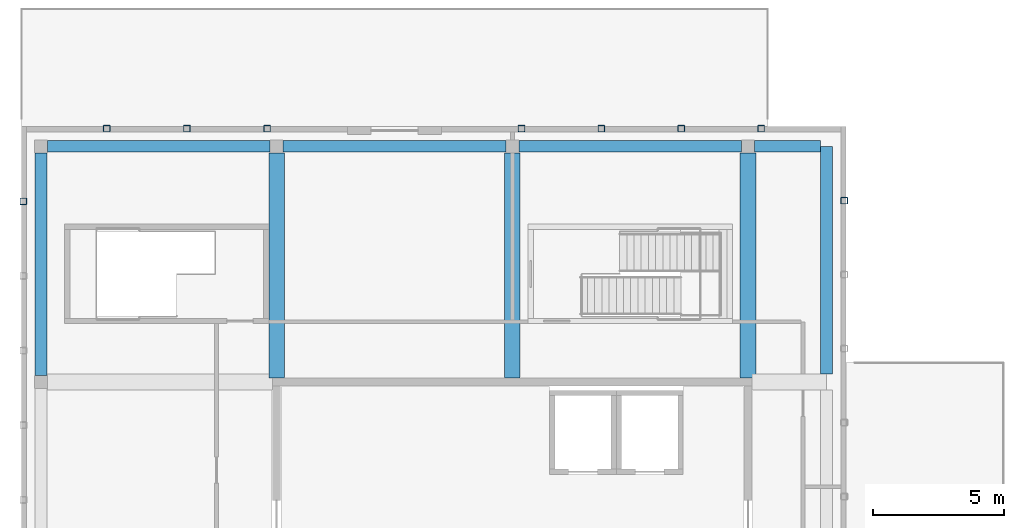
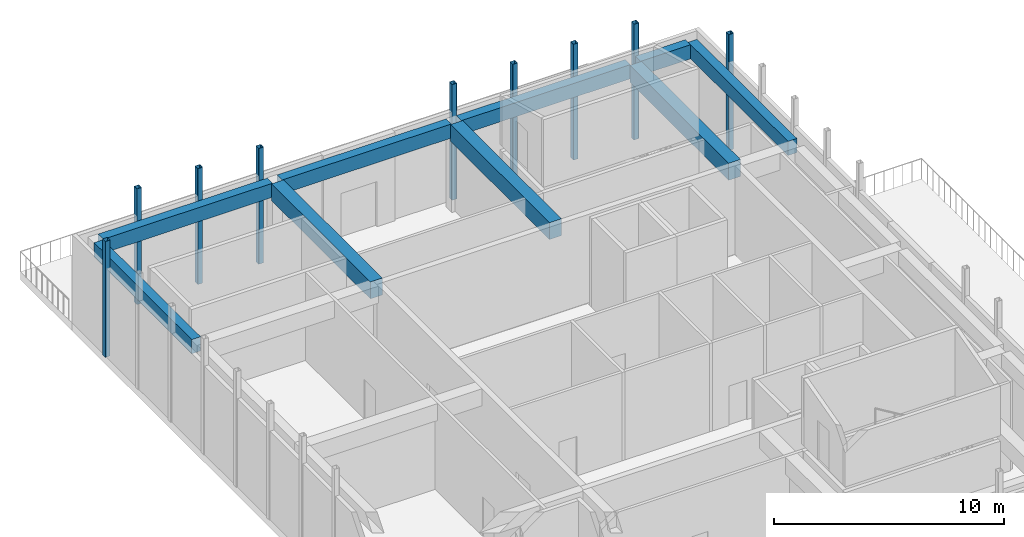
# One storey, part 6 of 11: 9 beams, 9 members.
"""IFC4 building model written with IfcOpenShell, lengths in metres."""

from ifc_helpers import new_model, si_unit, direction, frame, origin, origin_2d, place, context, subcontext, project, spatial, rectangle, hollow_rectangle, extrude, material, material_profile, profile_set, type_object, element, save


model = new_model("IFC4")

# Units and contexts
model_context = context("Model", 3, precision=1e-05, world=origin(), true_north=direction((0.0, 1.0)))
body_context = subcontext(model_context, "Body", "Model", "MODEL_VIEW")
ifc_project = project(units=[si_unit("LENGTHUNIT", "METRE"), si_unit("AREAUNIT", "SQUARE_METRE"), si_unit("VOLUMEUNIT", "CUBIC_METRE"), si_unit("PLANEANGLEUNIT", "RADIAN"), si_unit("MASSUNIT", "GRAM", prefix="KILO")], contexts=[model_context])

# Site, building, storey
site_placement = place(None, origin())
site = spatial("IfcSite", under=ifc_project, at=site_placement, CompositionType="ELEMENT")
building_placement = place(site_placement, origin())
building = spatial("IfcBuilding", under=site, at=building_placement, Name="Tuart Plaza Theatre", CompositionType="ELEMENT")
storey_placement = place(building_placement, frame((0.0, 0.0, 65.5)))
storey = spatial("IfcBuildingStorey", under=building, at=storey_placement, Name="L16", CompositionType="ELEMENT", Elevation=65.5)

# Beams
ifc_material_1 = material(Name="Concrete N40 (40 MPa)", Category="concrete")
ifc_material_profile_1 = material_profile(ifc_material_1, rectangle(XDim=0.449951171875, YDim=0.75, at=origin_2d()), Name="BEAM 450x750 Concrete N40 (40 MPa)")
ifc_profile_set_1 = profile_set([ifc_material_profile_1], Name="Concrete N40 (40 MPa)")
beam_type_1 = type_object("IfcBeamType", Name="BEAM 450x750 Concrete N40 (40 MPa)", PredefinedType="BEAM", material=ifc_profile_set_1)
for number, where, z_axis, x_axis, name in (
    (1, (114.0, 83.25, 4.324951171875), (0.0, 1.0, 0.0), (-1.0, 0.0, 0.0), "RB357"),
    (2, (114.25, 92.0, 4.324951171875), (1.0, 0.0, 0.0), (0.0, 1.0, 0.0), "RB359"),
    (3, (123.25, 92.0, 4.324951171875), (1.0, 0.0, 0.0), (0.0, 1.0, 0.0), "RB363"),
    (4, (132.25, 92.0, 4.324951171875), (1.0, 0.0, 0.0), (0.0, 1.0, 0.0), "RB367"),
):
    element("IfcBeam", number, at=place(storey_placement, frame(where, z_axis=z_axis, x_axis=x_axis)), inside=storey, type_object=beam_type_1, Name=name, PredefinedType="BEAM", context=body_context, shape_type="SweptSolid", body=[
        extrude(rectangle(XDim=0.449951171875, YDim=0.75, at=origin_2d()), origin(), (0.0, 0.0, 1.0), 8.5),
    ])
beam_1_placement = place(storey_placement, frame((141.25, 92.0, 4.324951171875), z_axis=(1.0, 0.0, 0.0), x_axis=(0.0, 1.0, 0.0)))
element("IfcBeam", 5, at=beam_1_placement, inside=storey, type_object=beam_type_1, Name="RB371", PredefinedType="BEAM", context=body_context, shape_type="SweptSolid", body=[
    extrude(rectangle(XDim=0.449951171875, YDim=0.75, at=origin_2d()), origin(), (0.0, 0.0, 1.0), 2.52490234375),
])
beam_2_placement = place(storey_placement, frame((144.0, 83.300048828125, 4.324951171875), z_axis=(0.0, 1.0, 0.0), x_axis=(-1.0, 0.0, 0.0)))
element("IfcBeam", 6, at=beam_2_placement, inside=storey, type_object=beam_type_1, Name="RB378", PredefinedType="BEAM", context=body_context, shape_type="SweptSolid", body=[
    extrude(rectangle(XDim=0.449951171875, YDim=0.75, at=origin_2d()), origin(), (0.0, 0.0, 1.0), 8.699951171875),
])
ifc_material_2 = material(Name="Concrete N40 (40 MPa)", Category="concrete")
ifc_material_profile_2 = material_profile(ifc_material_2, rectangle(XDim=0.60009765625, YDim=0.89990234375, at=origin_2d()), Name="BEAM 600x900 Concrete N40 (40 MPa)")
ifc_profile_set_2 = profile_set([ifc_material_profile_2], Name="Concrete N40 (40 MPa)")
beam_type_2 = type_object("IfcBeamType", Name="BEAM 600x900 Concrete N40 (40 MPa)", PredefinedType="BEAM", material=ifc_profile_set_2)
for number, where, z_axis, x_axis, name in (
    (7, (123.0, 83.14990234375, 4.25), (0.0, 1.0, 0.0), (-1.0, 0.0, 0.0), "RB362"),
    (8, (132.0, 83.14990234375, 4.25), (0.0, 1.0, 0.0), (-1.0, 0.0, 0.0), "RB366"),
    (9, (141.0, 83.14990234375, 4.25), (0.0, 1.0, 0.0), (-1.0, 0.0, 0.0), "RB370"),
):
    element("IfcBeam", number, at=place(storey_placement, frame(where, z_axis=z_axis, x_axis=x_axis)), inside=storey, type_object=beam_type_2, Name=name, PredefinedType="BEAM", context=body_context, shape_type="SweptSolid", body=[
        extrude(rectangle(XDim=0.60009765625, YDim=0.89990234375, at=origin_2d()), origin(), (0.0, 0.0, 1.0), 8.60009765625),
    ])

# Members
ifc_material_3 = material(Name="Steel Grade C350L0", Category="steel")
ifc_material_profile_3 = material_profile(ifc_material_3, hollow_rectangle(XDim=0.25, YDim=0.25, WallThickness=0.010009765625, InnerFilletRadius=0.010009765625, OuterFilletRadius=0.02001953125, at=origin_2d()), Name="250x250x10 SHS")
ifc_profile_set_3 = profile_set([ifc_material_profile_3], Name="Steel Grade C350L0")
member_type = type_object("IfcMemberType", Name="PLANT SCREEN Fin 250x250x10 SHS", PredefinedType="POST", material=ifc_profile_set_3)
for number, where, z_axis, x_axis, name in (
    (10, (144.675048828125, 89.925048828125, 0.0), (0.0, 0.0, 1.0), (1.0, 0.0, 0.0), "PO241"),
    (11, (141.5, 92.675048828125, 0.0), (0.0, 0.0, 1.0), (1.0, 0.0, 0.0), "PO241"),
    (12, (138.449951171875, 92.675048828125, 0.0), (0.0, 0.0, 1.0), (1.0, 0.0, 0.0), "PO241"),
    (13, (135.39990234375, 92.675048828125, 0.0), (0.0, 0.0, 1.0), (1.0, 0.0, 0.0), "PO241"),
    (14, (132.35009765625, 92.675048828125, 0.0), (0.0, 0.0, 1.0), (1.0, 0.0, 0.0), "PO241"),
    (15, (122.637451171875, 92.675048828125, 0.0), (0.0, 0.0, 1.0), (1.0, 0.0, 0.0), "PO241"),
    (16, (119.574951171875, 92.675048828125, 0.0), (0.0, 0.0, 1.0), (1.0, 0.0, 0.0), "PO241"),
    (17, (116.512451171875, 92.675048828125, 0.0), (0.0, 0.0, 1.0), (1.0, 0.0, 0.0), "PO241"),
    (18, (113.324951171875, 89.89990234375, 0.0), (0.0, 0.0, 1.0), (1.0, 0.0, 0.0), "PO241"),
):
    element("IfcMember", number, at=place(storey_placement, frame(where, z_axis=z_axis, x_axis=x_axis)), inside=storey, type_object=member_type, Name=name, PredefinedType="POST", context=body_context, shape_type="SweptSolid", body=[
        extrude(hollow_rectangle(XDim=0.25, YDim=0.25, WallThickness=0.010009765625, InnerFilletRadius=0.010009765625, OuterFilletRadius=0.02001953125, at=origin_2d()), origin(), (0.0, 0.0, 1.0), 6.14990234375),
    ])

save(model, "model.ifc")
